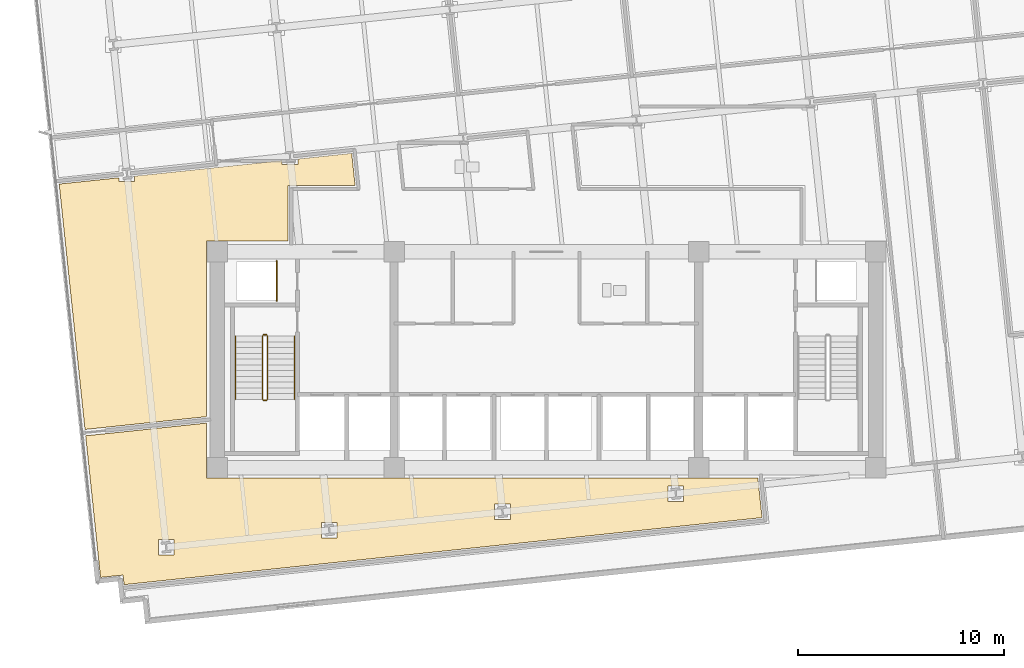
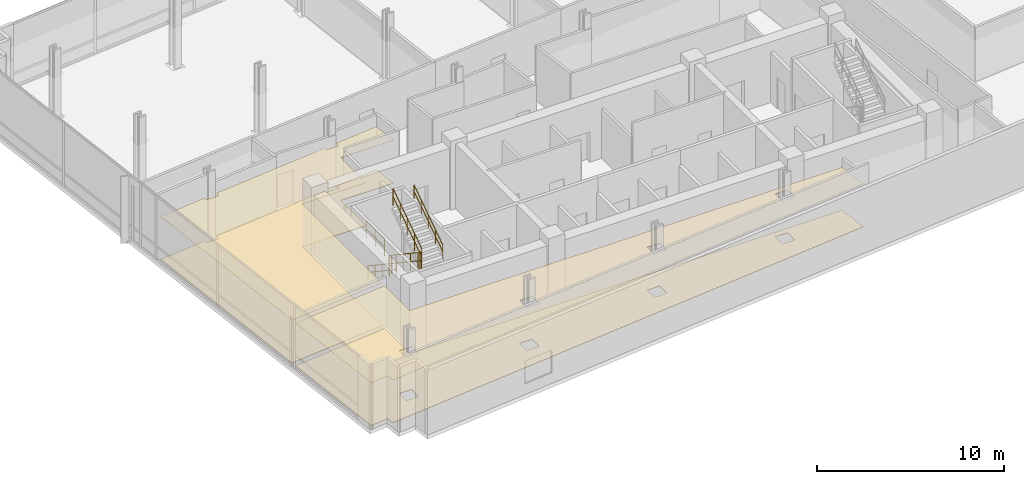
# One storey, part 16 of 20: 7 railings, 4 coverings.
"""IFC4 building model written with IfcOpenShell, lengths in metres."""

from ifc_helpers import new_model, si_unit, direction, frame, origin, origin_2d, place, context, subcontext, project, spatial, polyline, circle, outline, extrude, material, layer, layer_set, type_object, element, save


model = new_model("IFC4")

# Units and contexts
model_context = context("Model", 3, precision=1e-05, world=origin(), true_north=direction((0.0, 1.0)))
body_context = subcontext(model_context, "Body", "Model", "MODEL_VIEW")
ifc_project = project(units=[si_unit("LENGTHUNIT", "METRE"), si_unit("AREAUNIT", "SQUARE_METRE"), si_unit("VOLUMEUNIT", "CUBIC_METRE"), si_unit("PLANEANGLEUNIT", "RADIAN"), si_unit("MASSUNIT", "GRAM", prefix="KILO")], contexts=[model_context])

# Site, building, storey
site_placement = place(None, origin())
site = spatial("IfcSite", under=ifc_project, at=site_placement, CompositionType="ELEMENT")
building_placement = place(site_placement, origin())
building = spatial("IfcBuilding", under=site, at=building_placement, Name="Solmavex Isthmus Hotel", CompositionType="ELEMENT")
storey_placement = place(building_placement, frame((0.0, 0.0, 97.35009765625)))
storey = spatial("IfcBuildingStorey", under=building, at=storey_placement, Name="L26", CompositionType="ELEMENT", Elevation=97.35009765625)

# Coverings
ifc_material_1 = material(Name="Gypsum plasterboard lining", Category="gypsum")
ifc_layer_1 = layer(ifc_material_1, 0.030029296875)
ifc_layer_set_1 = layer_set([ifc_layer_1], Name="Gypsum plasterboard lining")
covering_type_1 = type_object("IfcCoveringType", Name="COV-CEIL-GYP", PredefinedType="CEILING", material=ifc_layer_set_1)
covering_1_placement = place(storey_placement, frame((0.0, 0.0, 2.7998046875)))
element("IfcCovering", 1, at=covering_1_placement, inside=storey, type_object=covering_type_1, Name="Suspended Acoustic Ceiling L26-FL08", PredefinedType="CEILING", context=body_context, shape_type="SweptSolid", body=[
    extrude(outline(polyline([(-20.003173828125, 1.169921875), (-20.003173828125, 0.90576171875), (-20.76318359375, 0.90576171875), (-20.76318359375, 1.08984375), (-23.673583984375, 0.783935546875), (-23.05224609375, -5.12841796875), (-22.42041015625, -11.140380859375), (-16.5048828125, -10.5185546875), (-16.5048828125, -1.9951171875), (-12.554931640625, -1.9951171875), (-12.554931640625, 0.705078125), (-9.295654296875, 0.705078125), (-9.4609375, 2.27783203125), (-12.078857421875, 2.002685546875), (-12.078857421875, 1.738525390625), (-12.8388671875, 1.738525390625), (-12.8388671875, 1.9228515625), (-20.003173828125, 1.169921875)])), origin(), (0.0, 0.0, 1.0), 0.030029296875),
])
covering_2_placement = place(storey_placement, frame((0.0, 0.0, 2.7998046875)))
element("IfcCovering", 2, at=covering_2_placement, inside=storey, type_object=covering_type_1, Name="Suspended Acoustic Ceiling L26-FL10", PredefinedType="CEILING", context=body_context, shape_type="SweptSolid", body=[
    extrude(outline(polyline([(-20.57080078125, -18.2158203125), (-20.521484375, -18.68310546875), (10.477783203125, -15.425048828125), (10.27587890625, -13.5048828125), (-16.5048828125, -13.5048828125), (-16.5048828125, -10.830322265625), (-22.387939453125, -11.448486328125), (-21.7509765625, -17.51025390625), (-21.66455078125, -18.33056640625), (-20.57080078125, -18.2158203125)]), holes=[polyline([(5.908203125, -14.6416015625), (5.908203125, -13.881591796875), (6.668212890625, -13.881591796875), (6.668212890625, -14.6416015625), (5.908203125, -14.6416015625)]), polyline([(-2.511474609375, -15.5263671875), (-2.511474609375, -14.766357421875), (-1.75146484375, -14.766357421875), (-1.75146484375, -15.5263671875), (-2.511474609375, -15.5263671875)]), polyline([(-10.93115234375, -16.411376953125), (-10.93115234375, -15.6513671875), (-10.171142578125, -15.6513671875), (-10.171142578125, -16.411376953125), (-10.93115234375, -16.411376953125)]), polyline([(-18.85546875, -17.244384765625), (-18.85546875, -16.484375), (-18.095458984375, -16.484375), (-18.095458984375, -17.244384765625), (-18.85546875, -17.244384765625)])]), origin(), (0.0, 0.0, 1.0), 0.030029296875),
])
ifc_material_2 = material(Name="Travertine natural stone", Category="masonry")
ifc_layer_2 = layer(ifc_material_2, 0.02490234375)
ifc_layer_set_2 = layer_set([ifc_layer_2], Name="Travertine natural stone")
covering_type_2 = type_object("IfcCoveringType", Name="COV-FLOR-STN", PredefinedType="FLOORING", material=ifc_layer_set_2)
covering_3_placement = place(storey_placement, origin())
element("IfcCovering", 3, at=covering_3_placement, inside=storey, type_object=covering_type_2, Name="Stone and Timber Floor Finish L26-FL08", PredefinedType="FLOORING", context=body_context, shape_type="SweptSolid", body=[
    extrude(outline(polyline([(-20.003173828125, 1.169921875), (-20.003173828125, 0.90576171875), (-20.76318359375, 0.90576171875), (-20.76318359375, 1.08984375), (-23.673583984375, 0.783935546875), (-23.05224609375, -5.12841796875), (-22.42041015625, -11.140380859375), (-16.5048828125, -10.5185546875), (-16.5048828125, -1.9951171875), (-12.554931640625, -1.9951171875), (-12.554931640625, 0.705078125), (-9.295654296875, 0.705078125), (-9.4609375, 2.27783203125), (-12.078857421875, 2.002685546875), (-12.078857421875, 1.738525390625), (-12.8388671875, 1.738525390625), (-12.8388671875, 1.9228515625), (-20.003173828125, 1.169921875)])), origin(), (0.0, 0.0, 1.0), 0.02490234375),
])
covering_4_placement = place(storey_placement, origin())
element("IfcCovering", 4, at=covering_4_placement, inside=storey, type_object=covering_type_2, Name="Stone and Timber Floor Finish L26-FL10", PredefinedType="FLOORING", context=body_context, shape_type="SweptSolid", body=[
    extrude(outline(polyline([(-20.57080078125, -18.2158203125), (-20.521484375, -18.68310546875), (10.477783203125, -15.425048828125), (10.27587890625, -13.5048828125), (-16.5048828125, -13.5048828125), (-16.5048828125, -10.830322265625), (-22.387939453125, -11.448486328125), (-21.7509765625, -17.51025390625), (-21.66455078125, -18.33056640625), (-20.57080078125, -18.2158203125)]), holes=[polyline([(5.908203125, -14.6416015625), (5.908203125, -13.881591796875), (6.668212890625, -13.881591796875), (6.668212890625, -14.6416015625), (5.908203125, -14.6416015625)]), polyline([(-2.511474609375, -15.5263671875), (-2.511474609375, -14.766357421875), (-1.75146484375, -14.766357421875), (-1.75146484375, -15.5263671875), (-2.511474609375, -15.5263671875)]), polyline([(-10.93115234375, -16.411376953125), (-10.93115234375, -15.6513671875), (-10.171142578125, -15.6513671875), (-10.171142578125, -16.411376953125), (-10.93115234375, -16.411376953125)]), polyline([(-18.85546875, -17.244384765625), (-18.85546875, -16.484375), (-18.095458984375, -16.484375), (-18.095458984375, -17.244384765625), (-18.85546875, -17.244384765625)])]), origin(), (0.0, 0.0, 1.0), 0.02490234375),
])

# Railings
ifc_material_3 = material(Name="Clear low-E laminated glass", Category="glass")
ifc_layer_3 = layer(ifc_material_3, 0.080078125)
ifc_layer_set_3 = layer_set([ifc_layer_3], Name="Clear low-E laminated glass")
railing_type_1 = type_object("IfcRailingType", Name="RAIL-ATRIUM-1120", PredefinedType="BALUSTRADE", material=ifc_layer_set_3)
railing_1_placement = place(storey_placement, frame((-13.10009765625, -4.89990234375, 0.0)))
element("IfcRailing", 5, at=railing_1_placement, inside=storey, type_object=railing_type_1, Name="Guardrail Balustrade L26-RSW-01", PredefinedType="BALUSTRADE", context=body_context, shape_type="SweptSolid", body=[
    extrude(circle(Radius=0.02392578125, at=origin_2d()), frame((0.0, 0.0, 1.1259765625), z_axis=(0.0, 1.0, 0.0), x_axis=(-1.0, 0.0, 0.0)), (0.0, 0.0, 1.0), 1.949951171875),
    extrude(circle(Radius=0.02392578125, at=origin_2d()), frame((0.0, 0.0, 0.574951171875), z_axis=(0.0, 1.0, 0.0), x_axis=(-1.0, 0.0, 0.0)), (0.0, 0.0, 1.0), 1.949951171875),
    extrude(circle(Radius=0.02099609375, at=origin_2d()), origin(), (0.0, 0.0, 1.0), 1.101806640625),
    extrude(circle(Radius=0.02099609375, at=origin_2d()), frame((0.0, 0.97509765625, 0.0)), (0.0, 0.0, 1.0), 1.101806640625),
    extrude(circle(Radius=0.02099609375, at=origin_2d()), frame((0.0, 1.949951171875, 0.0)), (0.0, 0.0, 1.0), 1.101806640625),
])
ifc_material_4 = material(Name="Stainless steel 316", Category="steel")
ifc_layer_4 = layer(ifc_material_4, 0.06005859375)
ifc_layer_set_4 = layer_set([ifc_layer_4], Name="Stainless steel 316")
railing_type_2 = type_object("IfcRailingType", Name="RAIL-STAIR-GD", PredefinedType="GUARDRAIL", material=ifc_layer_set_4)
railing_2_placement = place(storey_placement, frame((-13.800048828125, -6.60009765625, 0.1875)))
element("IfcRailing", 6, at=railing_2_placement, inside=storey, type_object=railing_type_2, Name="L26 ST-1 stair guard 1", PredefinedType="GUARDRAIL", context=body_context, shape_type="SweptSolid", body=[
    extrude(circle(Radius=0.02392578125, at=origin_2d()), frame((0.0, 0.0, 1.09619140625), z_axis=(0.0, -0.830893310487, 0.556431762742), x_axis=(1.0, 0.0, 0.0)), (0.0, 0.0, 1.0), 3.70654296875),
    extrude(circle(Radius=0.02392578125, at=origin_2d()), frame((0.0, 0.0, 0.56005859375), z_axis=(0.0, -0.830893310487, 0.556431762742), x_axis=(1.0, 0.0, 0.0)), (0.0, 0.0, 1.0), 3.70654296875),
    extrude(circle(Radius=0.02099609375, at=origin_2d()), origin(), (0.0, 0.0, 1.0), 1.072021484375),
    extrude(circle(Radius=0.02099609375, at=origin_2d()), frame((0.0, -0.77001953125, 0.515625)), (0.0, 0.0, 1.0), 1.072021484375),
    extrude(circle(Radius=0.02099609375, at=origin_2d()), frame((0.0, -1.5400390625, 1.03125)), (0.0, 0.0, 1.0), 1.072021484375),
    extrude(circle(Radius=0.02099609375, at=origin_2d()), frame((0.0, -2.309814453125, 1.546875)), (0.0, 0.0, 1.0), 1.072021484375),
    extrude(circle(Radius=0.02099609375, at=origin_2d()), frame((0.0, -3.079833984375, 2.0625)), (0.0, 0.0, 1.0), 1.072021484375),
])
railing_3_placement = place(storey_placement, frame((-13.75, -9.72998046875, 2.25)))
element("IfcRailing", 7, at=railing_3_placement, inside=storey, type_object=railing_type_2, Name="L26 ST-1 stair guard 2", PredefinedType="GUARDRAIL", context=body_context, shape_type="SweptSolid", body=[
    extrude(circle(Radius=0.02392578125, at=origin_2d()), frame((0.0, 0.0, 1.09619140625), z_axis=(1.0, 0.0, 0.0), x_axis=(0.0, 1.0, 0.0)), (0.0, 0.0, 1.0), 0.14990234375),
    extrude(circle(Radius=0.02392578125, at=origin_2d()), frame((0.0, 0.0, 0.56005859375), z_axis=(1.0, 0.0, 0.0), x_axis=(0.0, 1.0, 0.0)), (0.0, 0.0, 1.0), 0.14990234375),
    extrude(circle(Radius=0.02099609375, at=origin_2d()), origin(), (0.0, 0.0, 1.0), 1.072021484375),
    extrude(circle(Radius=0.02099609375, at=origin_2d()), frame((0.14990234375, 0.0, 0.0)), (0.0, 0.0, 1.0), 1.072021484375),
])
railing_4_placement = place(storey_placement, frame((-13.550048828125, -9.679931640625, 2.4375)))
element("IfcRailing", 8, at=railing_4_placement, inside=storey, type_object=railing_type_2, Name="L26 ST-1 stair guard 3", PredefinedType="GUARDRAIL", context=body_context, shape_type="SweptSolid", body=[
    extrude(circle(Radius=0.02392578125, at=origin_2d()), frame((0.0, 0.0, 1.09619140625), z_axis=(0.0, 0.830893310487, 0.556431762742), x_axis=(-1.0, 0.0, 0.0)), (0.0, 0.0, 1.0), 3.70654296875),
    extrude(circle(Radius=0.02392578125, at=origin_2d()), frame((0.0, 0.0, 0.56005859375), z_axis=(0.0, 0.830893310487, 0.556431762742), x_axis=(-1.0, 0.0, 0.0)), (0.0, 0.0, 1.0), 3.70654296875),
    extrude(circle(Radius=0.02099609375, at=origin_2d()), origin(), (0.0, 0.0, 1.0), 1.072021484375),
    extrude(circle(Radius=0.02099609375, at=origin_2d()), frame((0.0, 0.77001953125, 0.515625)), (0.0, 0.0, 1.0), 1.072021484375),
    extrude(circle(Radius=0.02099609375, at=origin_2d()), frame((0.0, 1.5400390625, 1.03125)), (0.0, 0.0, 1.0), 1.072021484375),
    extrude(circle(Radius=0.02099609375, at=origin_2d()), frame((0.0, 2.309814453125, 1.546875)), (0.0, 0.0, 1.0), 1.072021484375),
    extrude(circle(Radius=0.02099609375, at=origin_2d()), frame((0.0, 3.079833984375, 2.0625)), (0.0, 0.0, 1.0), 1.072021484375),
])
railing_5_placement = place(storey_placement, frame((-13.75, -6.550048828125, 0.0)))
element("IfcRailing", 9, at=railing_5_placement, inside=storey, type_object=railing_type_2, Name="L26 ST-1 stair guard 4", PredefinedType="GUARDRAIL", context=body_context, shape_type="SweptSolid", body=[
    extrude(circle(Radius=0.02392578125, at=origin_2d()), frame((0.0, 0.0, 1.09619140625), z_axis=(1.0, 0.0, 0.0), x_axis=(0.0, 1.0, 0.0)), (0.0, 0.0, 1.0), 0.14990234375),
    extrude(circle(Radius=0.02392578125, at=origin_2d()), frame((0.0, 0.0, 0.56005859375), z_axis=(1.0, 0.0, 0.0), x_axis=(0.0, 1.0, 0.0)), (0.0, 0.0, 1.0), 0.14990234375),
    extrude(circle(Radius=0.02099609375, at=origin_2d()), origin(), (0.0, 0.0, 1.0), 1.072021484375),
    extrude(circle(Radius=0.02099609375, at=origin_2d()), frame((0.14990234375, 0.0, 0.0)), (0.0, 0.0, 1.0), 1.072021484375),
])
ifc_layer_5 = layer(ifc_material_4, 0.050048828125)
ifc_layer_set_5 = layer_set([ifc_layer_5], Name="Stainless steel 316")
railing_type_3 = type_object("IfcRailingType", Name="RAIL-STAIR-HR", PredefinedType="HANDRAIL", material=ifc_layer_set_5)
railing_6_placement = place(storey_placement, frame((-15.10009765625, -6.60009765625, 0.1875)))
element("IfcRailing", 10, at=railing_6_placement, inside=storey, type_object=railing_type_3, Name="L26 ST-1 stair handrail 1", PredefinedType="HANDRAIL", context=body_context, shape_type="SweptSolid", body=[
    extrude(circle(Radius=0.02392578125, at=origin_2d()), frame((0.0, 0.0, 0.8759765625), z_axis=(0.0, -0.830893310487, 0.556431762742), x_axis=(1.0, 0.0, 0.0)), (0.0, 0.0, 1.0), 3.70654296875),
    extrude(circle(Radius=0.02392578125, at=origin_2d()), frame((0.0, 0.0, 0.449951171875), z_axis=(0.0, -0.830893310487, 0.556431762742), x_axis=(1.0, 0.0, 0.0)), (0.0, 0.0, 1.0), 3.70654296875),
    extrude(circle(Radius=0.02099609375, at=origin_2d()), origin(), (0.0, 0.0, 1.0), 0.851806640625),
    extrude(circle(Radius=0.02099609375, at=origin_2d()), frame((0.0, -0.77001953125, 0.515625)), (0.0, 0.0, 1.0), 0.851806640625),
    extrude(circle(Radius=0.02099609375, at=origin_2d()), frame((0.0, -1.5400390625, 1.03125)), (0.0, 0.0, 1.0), 0.851806640625),
    extrude(circle(Radius=0.02099609375, at=origin_2d()), frame((0.0, -2.309814453125, 1.546875)), (0.0, 0.0, 1.0), 0.851806640625),
    extrude(circle(Radius=0.02099609375, at=origin_2d()), frame((0.0, -3.079833984375, 2.0625)), (0.0, 0.0, 1.0), 0.851806640625),
])
railing_7_placement = place(storey_placement, frame((-12.25, -9.679931640625, 2.4375)))
element("IfcRailing", 11, at=railing_7_placement, inside=storey, type_object=railing_type_3, Name="L26 ST-1 stair handrail 2", PredefinedType="HANDRAIL", context=body_context, shape_type="SweptSolid", body=[
    extrude(circle(Radius=0.02392578125, at=origin_2d()), frame((0.0, 0.0, 0.8759765625), z_axis=(0.0, 0.830893310487, 0.556431762742), x_axis=(-1.0, 0.0, 0.0)), (0.0, 0.0, 1.0), 3.70654296875),
    extrude(circle(Radius=0.02392578125, at=origin_2d()), frame((0.0, 0.0, 0.449951171875), z_axis=(0.0, 0.830893310487, 0.556431762742), x_axis=(-1.0, 0.0, 0.0)), (0.0, 0.0, 1.0), 3.70654296875),
    extrude(circle(Radius=0.02099609375, at=origin_2d()), origin(), (0.0, 0.0, 1.0), 0.851806640625),
    extrude(circle(Radius=0.02099609375, at=origin_2d()), frame((0.0, 0.77001953125, 0.515625)), (0.0, 0.0, 1.0), 0.851806640625),
    extrude(circle(Radius=0.02099609375, at=origin_2d()), frame((0.0, 1.5400390625, 1.03125)), (0.0, 0.0, 1.0), 0.851806640625),
    extrude(circle(Radius=0.02099609375, at=origin_2d()), frame((0.0, 2.309814453125, 1.546875)), (0.0, 0.0, 1.0), 0.851806640625),
    extrude(circle(Radius=0.02099609375, at=origin_2d()), frame((0.0, 3.079833984375, 2.0625)), (0.0, 0.0, 1.0), 0.851806640625),
])

save(model, "model.ifc")
